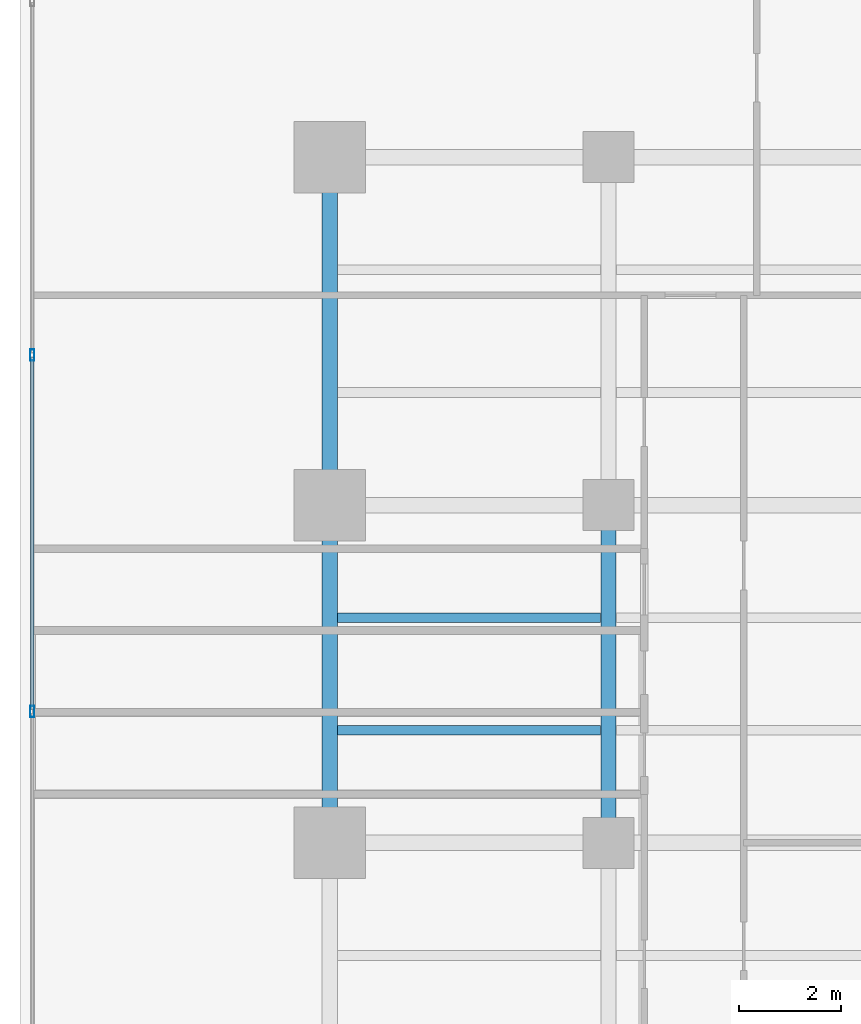
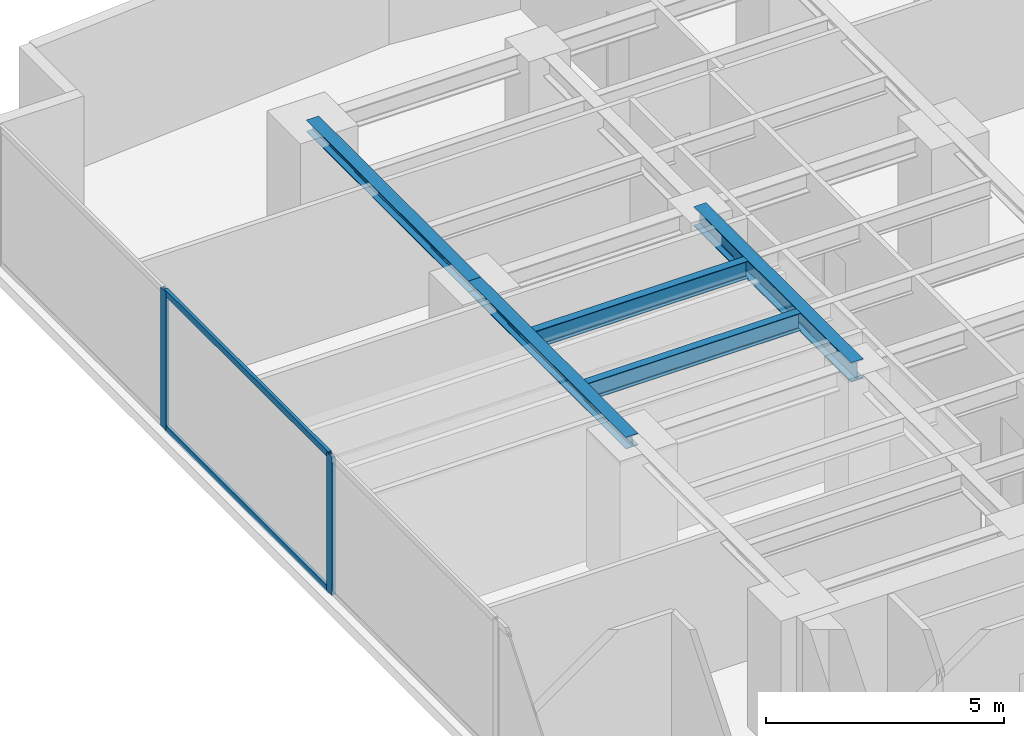
# One storey, part 13 of 26: 5 beams, 4 members, 1 element without a shape of its own.
"""IFC4 building model written with IfcOpenShell, lengths in metres."""

import ifcopenshell
import ifcopenshell.guid

model = None  # the IFC model being written
_history = None  # IfcOwnerHistory: only IFC2X3 demands one
_inside = {}  # id of a spatial element -> (the spatial element, [elements in it])
_under = {}  # id of a project, library or spatial element -> (it, [spatial elements below it])
_declared = {}  # id of a project -> (the project, [libraries it declares])
_typed = {}  # id of a type object -> (the type object, [elements of that type])
_made_of = {}  # id of a material, layer set ... -> (it, [elements and type objects made of it])


def new_model(schema):
    """Start an empty IFC model of exactly this schema.

    Asked for "IFC4X3", IfcOpenShell would pick the latest addendum, in which some entities
    have other attributes; the version numbers below select the first issue.
    IFC2X3 requires an IfcOwnerHistory on every rooted entity: one is made here for all.
    """
    global model, _history
    if schema == "IFC4X3":
        model = ifcopenshell.file(schema_version=(4, 3, 0, 0))
    else:
        model = ifcopenshell.file(schema=schema)
    _inside.clear()
    _under.clear()
    _declared.clear()
    _typed.clear()
    _made_of.clear()
    _history = None
    if model.schema == "IFC2X3":
        org = make("IfcOrganization", Name="unknown")
        user = make(
            "IfcPersonAndOrganization",
            ThePerson=make("IfcPerson", FamilyName="unknown"),
            TheOrganization=org,
        )
        app = make(
            "IfcApplication",
            ApplicationDeveloper=org,
            Version="unknown",
            ApplicationFullName="unknown",
            ApplicationIdentifier="unknown",
        )
        _history = make(
            "IfcOwnerHistory",
            OwningUser=user,
            OwningApplication=app,
            ChangeAction="ADDED",
            CreationDate=0,
        )
    return model


def make(cls, **values):
    """One entity of the class cls with the attributes given. An attribute that is None is left unset."""
    return model.create_entity(
        cls, **{name: value for name, value in values.items() if value is not None}
    )


def rooted(cls, **values):
    """An entity with a GlobalId (a new one), such as an element, a storey or a relation."""
    return make(cls, GlobalId=ifcopenshell.guid.new(), OwnerHistory=_history, **values)


def si_unit(unit_type, name, prefix=None):
    """IfcSIUnit, for example si_unit("LENGTHUNIT", "METRE", prefix="MILLI")."""
    return make("IfcSIUnit", UnitType=unit_type, Prefix=prefix, Name=name)


def assignment(units):
    """IfcUnitAssignment: the units of a project."""
    return None if units is None else make("IfcUnitAssignment", Units=units)


def point(xyz):
    """IfcCartesianPoint."""
    return None if xyz is None else make("IfcCartesianPoint", Coordinates=xyz)


def direction(xyz):
    """IfcDirection."""
    return None if xyz is None else make("IfcDirection", DirectionRatios=xyz)


def frame(location, z_axis=None, x_axis=None):
    """IfcAxis2Placement3D, a coordinate frame: its origin and axes. An axis left out is left unset."""
    return make(
        "IfcAxis2Placement3D",
        Location=point(location),
        Axis=direction(z_axis),
        RefDirection=direction(x_axis),
    )


def frame_2d(location, x_axis=None):
    """IfcAxis2Placement2D, a coordinate frame in the plane: its origin and x axis."""
    return make(
        "IfcAxis2Placement2D", Location=point(location), RefDirection=direction(x_axis)
    )


def origin():
    """The frame at (0, 0, 0) with its axes left unset."""
    return frame((0.0, 0.0, 0.0))


def origin_with_axes():
    """The frame at (0, 0, 0) with the z axis (0, 0, 1) and the x axis (1, 0, 0) written out."""
    return frame((0.0, 0.0, 0.0), z_axis=(0.0, 0.0, 1.0), x_axis=(1.0, 0.0, 0.0))


def origin_2d():
    """The frame at (0, 0) in the plane with its x axis left unset."""
    return frame_2d((0.0, 0.0))


def place(relative_to, where):
    """IfcLocalPlacement: puts the frame where relative to a parent placement (None: the world)."""
    return make(
        "IfcLocalPlacement", PlacementRelTo=relative_to, RelativePlacement=where
    )


def context(
    kind, dimensions, precision=None, world=None, true_north=None, identifier=None
):
    """IfcGeometricRepresentationContext, for example the 3D "Model" context."""
    return make(
        "IfcGeometricRepresentationContext",
        ContextIdentifier=identifier,
        ContextType=kind,
        CoordinateSpaceDimension=dimensions,
        Precision=precision,
        WorldCoordinateSystem=world,
        TrueNorth=true_north,
    )


def subcontext(parent, identifier, kind, view, scale=None):
    """IfcGeometricRepresentationSubContext, for example "Body" below "Model"."""
    return make(
        "IfcGeometricRepresentationSubContext",
        ContextIdentifier=identifier,
        ContextType=kind,
        ParentContext=parent,
        TargetScale=scale,
        TargetView=view,
    )


def project(units=None, contexts=None):
    """IfcProject with its units and contexts."""
    return rooted(
        "IfcProject",
        Name="project",
        RepresentationContexts=contexts,
        UnitsInContext=assignment(units),
    )


def spatial(cls, under=None, at=None, **own):
    """A site, building, storey or space (cls), placed at a placement, below another one or the project."""
    s = rooted(cls, ObjectPlacement=at, **own)
    if under is not None:
        _under.setdefault(under.id(), (under, []))[1].append(s)
    return s


def profile(cls, at=None, kind="AREA", **sizes):
    """A parametric profile (cls). Its sizes go by their IFC names, for example OverallWidth=200.0."""
    return make(cls, ProfileType=kind, Position=at, **sizes)


def hollow_rectangle(**sizes):
    """IfcRectangleHollowProfileDef."""
    return profile("IfcRectangleHollowProfileDef", **sizes)


def i_section(**sizes):
    """IfcIShapeProfileDef."""
    return profile("IfcIShapeProfileDef", **sizes)


def extrude(swept, where, along, depth):
    """IfcExtrudedAreaSolid: the profile swept, set in the frame where, extruded along a direction by depth."""
    return make(
        "IfcExtrudedAreaSolid",
        SweptArea=swept,
        Position=where,
        ExtrudedDirection=direction(along),
        Depth=depth,
    )


def shape(context_of_items, identifier, shape_type, items):
    """IfcShapeRepresentation: the items that make up one representation, for example the "Body"."""
    return make(
        "IfcShapeRepresentation",
        ContextOfItems=context_of_items,
        RepresentationIdentifier=identifier,
        RepresentationType=shape_type,
        Items=items,
    )


def source(mapping_origin, context_of_items, identifier, shape_type, items):
    """IfcRepresentationMap: a shape defined once, which mapped items show again and again."""
    return make(
        "IfcRepresentationMap",
        MappingOrigin=mapping_origin,
        MappedRepresentation=shape(context_of_items, identifier, shape_type, items),
    )


def transform(
    local_origin,
    x_axis=None,
    y_axis=None,
    z_axis=None,
    scale=None,
    scale2=None,
    scale3=None,
    uniform=True,
):
    """IfcCartesianTransformationOperator3D, or its non-uniform kind. x_axis, y_axis, z_axis: its Axis1, 2, 3."""
    if uniform:
        return make(
            "IfcCartesianTransformationOperator3D",
            Axis1=direction(x_axis),
            Axis2=direction(y_axis),
            LocalOrigin=point(local_origin),
            Scale=scale,
            Axis3=direction(z_axis),
        )
    return make(
        "IfcCartesianTransformationOperator3DnonUniform",
        Axis1=direction(x_axis),
        Axis2=direction(y_axis),
        LocalOrigin=point(local_origin),
        Scale=scale,
        Axis3=direction(z_axis),
        Scale2=scale2,
        Scale3=scale3,
    )


def mapped(mapping_source, mapping_target):
    """IfcMappedItem: shows the shape of a source again, moved by a transform."""
    return make(
        "IfcMappedItem", MappingSource=mapping_source, MappingTarget=mapping_target
    )


def material(Name=None, Category=None):
    """IfcMaterial."""
    return make("IfcMaterial", Name=Name, Category=Category)


def layer(
    of_material, thickness, ventilated=None, Name=None, Category=None, Priority=None
):
    """IfcMaterialLayer: one layer of a wall or slab, of a material (None: an air gap)."""
    return make(
        "IfcMaterialLayer",
        Material=of_material,
        LayerThickness=thickness,
        IsVentilated=ventilated,
        Name=Name,
        Category=Category,
        Priority=Priority,
    )


def layer_set(layers, Name=None):
    """IfcMaterialLayerSet."""
    return make("IfcMaterialLayerSet", MaterialLayers=layers, LayerSetName=Name)


def material_profile(
    of_material, cross_section, Name=None, Category=None, Priority=None
):
    """IfcMaterialProfile: a cross section and its material."""
    return make(
        "IfcMaterialProfile",
        Name=Name,
        Material=of_material,
        Profile=cross_section,
        Priority=Priority,
        Category=Category,
    )


def profile_set(profiles, Name=None, composite=None):
    """IfcMaterialProfileSet."""
    return make(
        "IfcMaterialProfileSet",
        Name=Name,
        MaterialProfiles=profiles,
        CompositeProfile=composite,
    )


def made_of(thing, what):
    """Note that an element or type object is made of a material, layer set ...; save() writes the relation."""
    if what is not None:
        _made_of.setdefault(what.id(), (what, []))[1].append(thing)
    return thing


def type_object(cls, material=None, **own):
    """A type object (cls), such as IfcWallType, which elements share."""
    return made_of(rooted(cls, **own), material)


def element(
    cls,
    number,
    at=None,
    inside=None,
    cuts=None,
    type_object=None,
    material=None,
    context=None,
    identifier="Body",
    shape_type=None,
    held_by="IfcProductDefinitionShape",
    body=None,
    shapes=None,
    **own,
):
    """One element of the class cls, such as IfcWall. Its Tag is "e" and its number.

    at: its placement. inside: the storey or other place that contains it. cuts: it is an
    opening in that element (IfcRelVoidsElement). A single representation is given by context,
    identifier, shape_type and body (its items); several are given by shapes. held_by: the class
    of the entity that holds the representations. save() writes the other relations.
    """
    e = rooted(cls, Tag="e%d" % number, ObjectPlacement=at, **own)
    if body is not None:
        shapes = [shape(context, identifier, shape_type, body)]
    if shapes is not None:
        e.Representation = make(held_by, Representations=shapes)
    if inside is not None:
        _inside.setdefault(inside.id(), (inside, []))[1].append(e)
    if cuts is not None:
        rooted(
            "IfcRelVoidsElement", RelatingBuildingElement=cuts, RelatedOpeningElement=e
        )
    if type_object is not None:
        _typed.setdefault(type_object.id(), (type_object, []))[1].append(e)
    return made_of(e, material)


def aggregate(whole, parts):
    """IfcRelAggregates: a whole, such as a stair, and the parts it consists of."""
    return rooted("IfcRelAggregates", RelatingObject=whole, RelatedObjects=parts)


def save(model, path):
    """Write the relations noted so far, then the file.

    IfcRelAggregates (storeys below a building ...), IfcRelContainedInSpatialStructure (elements
    in a storey), IfcRelDefinesByType, IfcRelAssociatesMaterial and IfcRelDeclares: one each for
    every whole, place, type object, material and project.
    """
    for whole, parts in _under.values():
        aggregate(whole, parts)
    for where, things in _inside.values():
        rooted(
            "IfcRelContainedInSpatialStructure",
            RelatedElements=things,
            RelatingStructure=where,
        )
    for kind, things in _typed.values():
        rooted("IfcRelDefinesByType", RelatedObjects=things, RelatingType=kind)
    for what, things in _made_of.values():
        rooted("IfcRelAssociatesMaterial", RelatedObjects=things, RelatingMaterial=what)
    for by, libraries in _declared.values():
        rooted("IfcRelDeclares", RelatingContext=by, RelatedDefinitions=libraries)
    model.write(path)


model = new_model("IFC4")

# Units and contexts
model_context = context("Model", 3, precision=1e-05, world=origin(), true_north=direction((0.0, 1.0)))
body_context = subcontext(model_context, "Body", "Model", "MODEL_VIEW")
ifc_project = project(units=[si_unit("LENGTHUNIT", "METRE"), si_unit("AREAUNIT", "SQUARE_METRE"), si_unit("VOLUMEUNIT", "CUBIC_METRE"), si_unit("PLANEANGLEUNIT", "RADIAN"), si_unit("MASSUNIT", "GRAM", prefix="KILO")], contexts=[model_context])

# Site, building, storey
site_placement = place(None, origin())
site = spatial("IfcSite", under=ifc_project, at=site_placement, CompositionType="ELEMENT")
building_placement = place(site_placement, origin())
building = spatial("IfcBuilding", under=site, at=building_placement, Name="Kolvaren Waterfront Exchange", CompositionType="ELEMENT")
storey_placement = place(building_placement, frame((0.0, 0.0, 87.89990234375)))
storey = spatial("IfcBuildingStorey", under=building, at=storey_placement, Name="L22", CompositionType="ELEMENT", Elevation=87.89990234375)

# Beams
ifc_material_1 = material(Name="Steel S355", Category="steel")
ifc_material_profile_1 = material_profile(ifc_material_1, i_section(OverallWidth=0.300048828125, OverallDepth=0.300048828125, WebThickness=0.010986328125, FlangeThickness=0.01904296875, FilletRadius=0.027099609375, at=origin_2d()), Name="HEB300")
ifc_profile_set_1 = profile_set([ifc_material_profile_1], Name="Steel S355")
beam_type_1 = type_object("IfcBeamType", Name="STR-BM-HEB300", PredefinedType="SPANDREL", material=ifc_profile_set_1)
beam_1_placement = place(storey_placement, frame((7.449951171875, 31.199951171875, 3.39013671875), z_axis=(0.0, 1.0, 0.0), x_axis=(-1.0, 0.0, 0.0)))
element("IfcBeam", 1, at=beam_1_placement, inside=storey, type_object=beam_type_1, Name="L22 north-arm edge beam 2", PredefinedType="SPANDREL", context=body_context, shape_type="SweptSolid", body=[
    extrude(i_section(OverallWidth=0.300048828125, OverallDepth=0.300048828125, WebThickness=0.010986328125, FlangeThickness=0.01904296875, FilletRadius=0.027099609375, at=origin_2d()), origin(), (0.0, 0.0, 1.0), 6.60009765625),
])
beam_2_placement = place(storey_placement, frame((7.449951171875, 37.800048828125, 3.39013671875), z_axis=(0.0, 1.0, 0.0), x_axis=(-1.0, 0.0, 0.0)))
element("IfcBeam", 2, at=beam_2_placement, inside=storey, type_object=beam_type_1, Name="L22 north-arm edge beam 3", PredefinedType="SPANDREL", context=body_context, shape_type="SweptSolid", body=[
    extrude(i_section(OverallWidth=0.300048828125, OverallDepth=0.300048828125, WebThickness=0.010986328125, FlangeThickness=0.01904296875, FilletRadius=0.027099609375, at=origin_2d()), origin(), (0.0, 0.0, 1.0), 6.800048828125),
])
ifc_material_profile_2 = material_profile(ifc_material_1, i_section(OverallWidth=0.300048828125, OverallDepth=0.5, WebThickness=0.014404296875, FlangeThickness=0.028076171875, FilletRadius=0.027099609375, at=origin_2d()), Name="HEB500")
ifc_profile_set_2 = profile_set([ifc_material_profile_2], Name="Steel S355")
beam_type_2 = type_object("IfcBeamType", Name="STR-BM-HEB500", PredefinedType="BEAM", material=ifc_profile_set_2)
beam_3_placement = place(storey_placement, frame((12.89990234375, 31.199951171875, 3.2900390625), z_axis=(0.0, 1.0, 0.0), x_axis=(-1.0, 0.0, 0.0)))
element("IfcBeam", 3, at=beam_3_placement, inside=storey, type_object=beam_type_2, Name="L22 north-arm edge beam 2", PredefinedType="BEAM", context=body_context, shape_type="SweptSolid", body=[
    extrude(i_section(OverallWidth=0.300048828125, OverallDepth=0.5, WebThickness=0.014404296875, FlangeThickness=0.028076171875, FilletRadius=0.027099609375, at=origin_2d()), origin(), (0.0, 0.0, 1.0), 6.60009765625),
])
ifc_material_profile_3 = material_profile(ifc_material_1, i_section(OverallWidth=0.18994140625, OverallDepth=0.449951171875, WebThickness=0.009521484375, FlangeThickness=0.0146484375, FilletRadius=0.02099609375, at=origin_2d()), Name="IPE450")
ifc_profile_set_3 = profile_set([ifc_material_profile_3], Name="Steel S355")
beam_type_3 = type_object("IfcBeamType", Name="STR-BM-IPE450", PredefinedType="JOIST", material=ifc_profile_set_3)
for number, where, z_axis, x_axis, name in (
    (4, (7.60205078125, 33.39990234375, 3.315185546875), (1.0, 0.0, 0.0), (0.0, 1.0, 0.0), "L22 north-arm composite joist 3A"),
    (5, (7.60205078125, 35.60009765625, 3.315185546875), (1.0, 0.0, 0.0), (0.0, 1.0, 0.0), "L22 north-arm composite joist 4A"),
):
    element("IfcBeam", number, at=place(storey_placement, frame(where, z_axis=z_axis, x_axis=x_axis)), inside=storey, type_object=beam_type_3, Name=name, PredefinedType="JOIST", context=body_context, shape_type="SweptSolid", body=[
        extrude(i_section(OverallWidth=0.18994140625, OverallDepth=0.449951171875, WebThickness=0.009521484375, FlangeThickness=0.0146484375, FilletRadius=0.02099609375, at=origin_2d()), origin(), (0.0, 0.0, 1.0), 5.14599609375),
    ])

# Curtain wall, members
ifc_material_2 = material(Name="Anodised aluminium 6063-T6", Category="aluminium")
ifc_layer = layer(ifc_material_2, 0.219970703125, Name="Anodised aluminium 6063-T6")
ifc_layer_set = layer_set([ifc_layer], Name="Anodised aluminium 6063-T6")
curtain_wall_type = type_object("IfcCurtainWallType", Name="ARC-CW-SYS2", PredefinedType="USERDEFINED", material=ifc_layer_set)
curtain_wall_placement = place(storey_placement, origin())
curtain_wall = element("IfcCurtainWall", 6, at=curtain_wall_placement, inside=storey, type_object=curtain_wall_type, Name="L22 stick curtain wall CW2 (CW-L22-W)", ObjectType="STICK CURTAIN WALL", PredefinedType="USERDEFINED")
ifc_material_profile_4 = material_profile(ifc_material_2, hollow_rectangle(XDim=0.080078125, YDim=0.219970703125, WallThickness=0.0048828125, at=origin_2d()), Name="ALU-MUL-220x80x5")
ifc_profile_set_4 = profile_set([ifc_material_profile_4], Name="Anodised aluminium 6063-T6")
member_type_1 = type_object("IfcMemberType", Name="ARC-CWM-220", PredefinedType="MULLION", material=ifc_profile_set_4)
shared_shape_1 = source(origin_with_axes(), body_context, "Body", "SweptSolid", [
    extrude(hollow_rectangle(XDim=0.080078125, YDim=0.219970703125, WallThickness=0.0048828125, at=origin_2d()), origin(), (0.0, 0.0, 1.0), 3.5400390625),
])
member_1_placement = place(storey_placement, frame((1.639892578125, 33.7666015625, 0.0), z_axis=(0.0, 0.0, 1.0), x_axis=(-1.0, 0.0, 0.0)))
member_1 = element("IfcMember", 7, at=member_1_placement, type_object=member_type_1, Name="CW2 mullion 5", PredefinedType="MULLION", context=body_context, shape_type="MappedRepresentation", body=[
    mapped(shared_shape_1, transform((0.0, 0.0, 0.0), x_axis=(1.0, 0.0, 0.0), y_axis=(0.0, 1.0, 0.0), z_axis=(0.0, 0.0, 1.0), scale=1.0)),
])
member_2_placement = place(storey_placement, frame((1.639892578125, 40.7333984375, 0.0), z_axis=(0.0, 0.0, 1.0), x_axis=(-1.0, 0.0, 0.0)))
member_2 = element("IfcMember", 8, at=member_2_placement, type_object=member_type_1, Name="CW2 mullion 6", PredefinedType="MULLION", context=body_context, shape_type="MappedRepresentation", body=[
    mapped(shared_shape_1, transform((0.0, 0.0, 0.0), x_axis=(1.0, 0.0, 0.0), y_axis=(0.0, 1.0, 0.0), z_axis=(0.0, 0.0, 1.0), scale=1.0)),
])
ifc_material_profile_5 = material_profile(ifc_material_2, hollow_rectangle(XDim=0.074951171875, YDim=0.159912109375, WallThickness=0.00439453125, at=origin_2d()), Name="ALU-TRN-160x75x4.5")
ifc_profile_set_5 = profile_set([ifc_material_profile_5], Name="Anodised aluminium 6063-T6")
member_type_2 = type_object("IfcMemberType", Name="ARC-CWT-160", PredefinedType="USERDEFINED", material=ifc_profile_set_5)
shared_shape_2 = source(origin_with_axes(), body_context, "Body", "SweptSolid", [
    extrude(hollow_rectangle(XDim=0.074951171875, YDim=0.159912109375, WallThickness=0.00439453125, at=origin_2d()), origin(), (0.0, 0.0, 1.0), 6.88671875),
])
member_3_placement = place(storey_placement, frame((1.639892578125, 33.806640625, 0.03759765625), z_axis=(0.0, 1.0, 0.0), x_axis=(-1.0, 0.0, 0.0)))
member_3 = element("IfcMember", 9, at=member_3_placement, type_object=member_type_2, Name="CW2 transom 5.1", ObjectType="TRANSOM", PredefinedType="USERDEFINED", context=body_context, shape_type="MappedRepresentation", body=[
    mapped(shared_shape_2, transform((0.0, 0.0, 0.0), x_axis=(1.0, 0.0, 0.0), y_axis=(0.0, 1.0, 0.0), z_axis=(0.0, 0.0, 1.0), scale=1.0)),
])
member_4_placement = place(storey_placement, frame((1.639892578125, 33.806640625, 3.502685546875), z_axis=(0.0, 1.0, 0.0), x_axis=(-1.0, 0.0, 0.0)))
member_4 = element("IfcMember", 10, at=member_4_placement, type_object=member_type_2, Name="CW2 transom 5.2", ObjectType="TRANSOM", PredefinedType="USERDEFINED", context=body_context, shape_type="MappedRepresentation", body=[
    mapped(shared_shape_2, transform((0.0, 0.0, 0.0), x_axis=(1.0, 0.0, 0.0), y_axis=(0.0, 1.0, 0.0), z_axis=(0.0, 0.0, 1.0), scale=1.0)),
])
aggregate(curtain_wall, [member_1, member_2, member_3, member_4])

save(model, "model.ifc")
